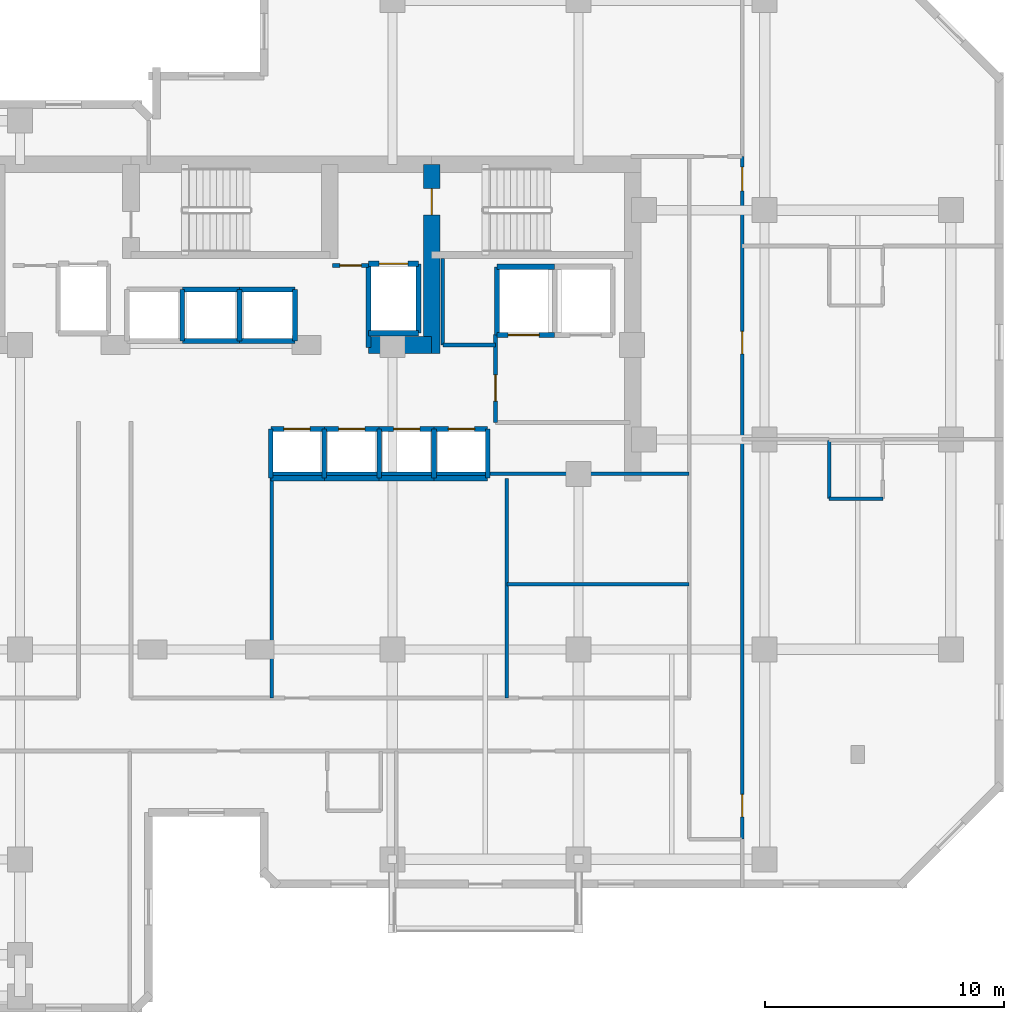
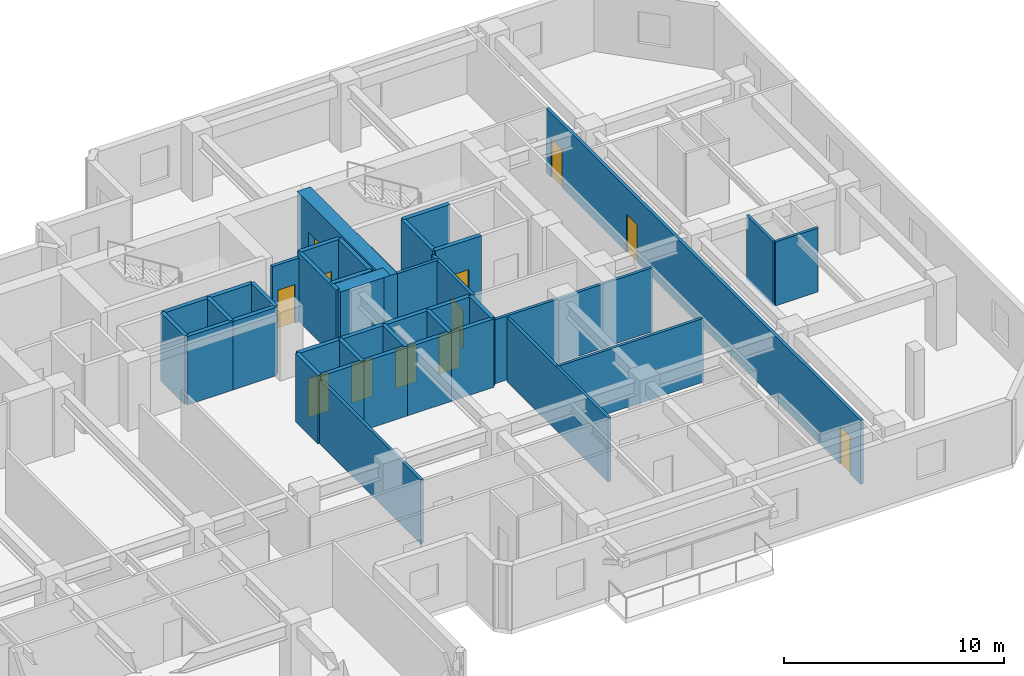
# One storey, part 7 of 11: 40 walls, 12 doors, 12 openings.
"""IFC4 building model written with IfcOpenShell, lengths in metres."""

from ifc_helpers import new_model, si_unit, direction, frame, frame_2d, origin, place, context, subcontext, project, spatial, rectangle, extrude, material, layer, layer_set, type_object, element, fill, save


model = new_model("IFC4")

# Units and contexts
model_context = context("Model", 3, precision=1e-05, world=origin(), true_north=direction((0.0, 1.0)))
body_context = subcontext(model_context, "Body", "Model", "MODEL_VIEW")
ifc_project = project(units=[si_unit("LENGTHUNIT", "METRE"), si_unit("AREAUNIT", "SQUARE_METRE"), si_unit("VOLUMEUNIT", "CUBIC_METRE"), si_unit("PLANEANGLEUNIT", "RADIAN"), si_unit("MASSUNIT", "GRAM", prefix="KILO")], contexts=[model_context])

# Site, building, storey
site_placement = place(None, origin())
site = spatial("IfcSite", under=ifc_project, at=site_placement, CompositionType="ELEMENT")
building_placement = place(site_placement, origin())
building = spatial("IfcBuilding", under=site, at=building_placement, Name="Kestravale Grand Hotel", CompositionType="ELEMENT")
storey_placement = place(building_placement, frame((0.0, 0.0, 157.39990234375)))
storey = spatial("IfcBuildingStorey", under=building, at=storey_placement, Name="L39", CompositionType="ELEMENT", Elevation=157.39990234375)

# Wall
ifc_material_1 = material(Name="Concrete f'c 60 MPa", Category="concrete")
ifc_layer_1 = layer(ifc_material_1, 0.699951171875)
ifc_layer_set_1 = layer_set([ifc_layer_1], Name="EW-CORE-700")
wall_type_1 = type_object("IfcWallType", Name="EW-CORE-700", PredefinedType="SHEAR", material=ifc_layer_set_1)
wall_1_placement = place(storey_placement, frame((45.81005859375, 32.75, 0.0), z_axis=(0.0, 0.0, 1.0), x_axis=(1.0, 0.0, 0.0)))
element("IfcWall", 1, at=wall_1_placement, inside=storey, type_object=wall_type_1, Name="L39 core shear wall S2", PredefinedType="SHEAR", context=body_context, shape_type="SweptSolid", body=[
    extrude(rectangle(XDim=2.639892578125, YDim=0.699951171875, at=frame_2d((1.31982421875, 0.0))), origin(), (0.0, 0.0, 1.0), 3.800048828125),
])

# Wall, opening, door
wall_2_placement = place(storey_placement, frame((48.449951171875, 32.39990234375, 0.0), z_axis=(0.0, 0.0, 1.0), x_axis=(0.0, 1.0, 0.0)))
wall_2 = element("IfcWall", 2, at=wall_2_placement, inside=storey, type_object=wall_type_1, Name="L39 core shear wall X4", PredefinedType="SHEAR", context=body_context, shape_type="SweptSolid", body=[
    extrude(rectangle(XDim=7.920166015625, YDim=0.699951171875, at=frame_2d((3.9599609375, 0.0))), origin(), (0.0, 0.0, 1.0), 3.800048828125),
])
opening_1_placement = place(wall_2_placement, frame((5.800048828125, 0.0, 0.0)))
opening_1 = element("IfcOpeningElement", 3, at=opening_1_placement, cuts=wall_2, Name="Opening D-ST-1100", PredefinedType="OPENING", context=body_context, shape_type="SweptSolid", body=[
    extrude(rectangle(XDim=1.10009765625, YDim=2.14990234375, at=frame_2d((0.550048828125, 1.074951171875))), frame((0.0, 0.35986328125, 0.0), z_axis=(0.0, -1.0, 0.0), x_axis=(1.0, 0.0, 0.0)), (0.0, 0.0, 1.0), 0.719970703125),
])
ifc_material_2 = material(Name="Galvanised 90-minute fire-rated steel stair door", Category="steel")
door_type_1 = type_object("IfcDoorType", Name="D-ST-1100", OperationType="NOTDEFINED", PredefinedType="DOOR", material=ifc_material_2)
door_1_placement = place(opening_1_placement, origin())
door_1 = element("IfcDoor", 4, at=door_1_placement, inside=storey, type_object=door_type_1, Name="L39 Stair ST-3 FSAE fire door", OperationType="SINGLE_SWING_RIGHT", OverallHeight=2.14990234375, OverallWidth=1.10009765625, PredefinedType="DOOR", context=body_context, shape_type="SweptSolid", body=[
    extrude(rectangle(XDim=1.10009765625, YDim=2.14990234375, at=frame_2d((0.550048828125, 1.074951171875))), frame((0.0, 0.02490234375, 0.0), z_axis=(0.0, -1.0, 0.0), x_axis=(1.0, 0.0, 0.0)), (0.0, 0.0, 1.0), 0.050048828125),
])
fill(opening_1, door_1)

ifc_material_3 = material(Name="Acoustic fire-rated gypsum board partition", Category="other")
ifc_layer_2 = layer(ifc_material_3, 0.159912109375)
ifc_layer_set_2 = layer_set([ifc_layer_2], Name="IW-CORR-160")
wall_type_2 = type_object("IfcWallType", Name="IW-CORR-160", PredefinedType="PARTITIONING", material=ifc_layer_set_2)
wall_3_placement = place(storey_placement, frame((51.1201171875, 29.5, 0.0), z_axis=(0.0, 0.0, 1.0), x_axis=(0.0, 1.0, 0.0)))
wall_3 = element("IfcWall", 5, at=wall_3_placement, inside=storey, type_object=wall_type_2, Name="W-L39-SVCLOB-W", PredefinedType="PARTITIONING", context=body_context, shape_type="SweptSolid", body=[
    extrude(rectangle(XDim=3.699951171875, YDim=0.159912109375, at=frame_2d((1.85009765625, 0.0))), origin(), (0.0, 0.0, 1.0), 3.550048828125),
])
opening_2_placement = place(wall_3_placement, frame((0.89990234375, 0.0, 0.0)))
opening_2 = element("IfcOpeningElement", 6, at=opening_2_placement, cuts=wall_3, Name="Opening D-CORR-1100", PredefinedType="OPENING", context=body_context, shape_type="SweptSolid", body=[
    extrude(rectangle(XDim=1.10009765625, YDim=2.14990234375, at=frame_2d((0.550048828125, 1.074951171875))), frame((0.0, 0.08984375, 0.0), z_axis=(0.0, -1.0, 0.0), x_axis=(1.0, 0.0, 0.0)), (0.0, 0.0, 1.0), 0.179931640625),
])
ifc_material_4 = material(Name="Single-leaf service vestibule fire door", Category="steel")
door_type_2 = type_object("IfcDoorType", Name="D-CORR-1100", OperationType="NOTDEFINED", PredefinedType="DOOR", material=ifc_material_4)
door_2_placement = place(opening_2_placement, origin())
door_2 = element("IfcDoor", 7, at=door_2_placement, inside=storey, type_object=door_type_2, Name="L39 service lift lobby door", OperationType="SINGLE_SWING_LEFT", OverallHeight=2.14990234375, OverallWidth=1.10009765625, PredefinedType="DOOR", context=body_context, shape_type="SweptSolid", body=[
    extrude(rectangle(XDim=1.10009765625, YDim=2.14990234375, at=frame_2d((0.550048828125, 1.074951171875))), frame((0.0, 0.02490234375, 0.0), z_axis=(0.0, -1.0, 0.0), x_axis=(1.0, 0.0, 0.0)), (0.0, 0.0, 1.0), 0.050048828125),
])
fill(opening_2, door_2)

# Wall
wall_4_placement = place(storey_placement, frame((48.919921875, 32.75, 0.0), z_axis=(0.0, 0.0, 1.0), x_axis=(1.0, 0.0, 0.0)))
element("IfcWall", 8, at=wall_4_placement, inside=storey, type_object=wall_type_2, Name="W-L39-CES", PredefinedType="PARTITIONING", context=body_context, shape_type="SweptSolid", body=[
    extrude(rectangle(XDim=2.2001953125, YDim=0.159912109375, at=frame_2d((1.10009765625, 0.0))), origin(), (0.0, 0.0, 1.0), 3.550048828125),
])

# Wall, openings, doors
wall_5_placement = place(storey_placement, frame((61.4599609375, 12.050048828125, 0.0), z_axis=(0.0, 0.0, 1.0), x_axis=(0.0, 1.0, 0.0)))
wall_5 = element("IfcWall", 9, at=wall_5_placement, inside=storey, type_object=wall_type_2, Name="W-L39-SE-E", PredefinedType="PARTITIONING", context=body_context, shape_type="SweptSolid", body=[
    extrude(rectangle(XDim=28.599853515625, YDim=0.159912109375, at=frame_2d((14.2998046875, 0.0))), origin(), (0.0, 0.0, 1.0), 3.550048828125),
])
opening_3_placement = place(wall_5_placement, frame((0.925048828125, 0.0, 0.0)))
opening_3 = element("IfcOpeningElement", 10, at=opening_3_placement, cuts=wall_5, Name="Opening D-GUEST-950", PredefinedType="OPENING", context=body_context, shape_type="SweptSolid", body=[
    extrude(rectangle(XDim=0.949951171875, YDim=2.10009765625, at=frame_2d((0.47509765625, 1.050048828125))), frame((0.0, 0.08984375, 0.0), z_axis=(0.0, -1.0, 0.0), x_axis=(1.0, 0.0, 0.0)), (0.0, 0.0, 1.0), 0.179931640625),
])
opening_4_placement = place(wall_5_placement, frame((20.324951171875, 0.0, 0.0)))
opening_4 = element("IfcOpeningElement", 11, at=opening_4_placement, cuts=wall_5, Name="Opening D-GUEST-950", PredefinedType="OPENING", context=body_context, shape_type="SweptSolid", body=[
    extrude(rectangle(XDim=0.949951171875, YDim=2.10009765625, at=frame_2d((0.47509765625, 1.050048828125))), frame((0.0, 0.08984375, 0.0), z_axis=(0.0, -1.0, 0.0), x_axis=(1.0, 0.0, 0.0)), (0.0, 0.0, 1.0), 0.179931640625),
])
opening_5_placement = place(wall_5_placement, frame((27.159912109375, 0.0, 0.0)))
opening_5 = element("IfcOpeningElement", 12, at=opening_5_placement, cuts=wall_5, Name="Opening D-GUEST-1000", PredefinedType="OPENING", context=body_context, shape_type="SweptSolid", body=[
    extrude(rectangle(XDim=1.0, YDim=2.14990234375, at=frame_2d((0.5, 1.074951171875))), frame((0.0, 0.08984375, 0.0), z_axis=(0.0, -1.0, 0.0), x_axis=(1.0, 0.0, 0.0)), (0.0, 0.0, 1.0), 0.179931640625),
])
ifc_material_5 = material(Name="Accessible walnut veneer hotel entrance fire door", Category="wood")
door_type_3 = type_object("IfcDoorType", Name="D-GUEST-1000", OperationType="NOTDEFINED", PredefinedType="DOOR", material=ifc_material_5)
door_3_placement = place(opening_5_placement, origin())
door_3 = element("IfcDoor", 13, at=door_3_placement, inside=storey, type_object=door_type_3, Name="D-L39-AMEW", OperationType="SINGLE_SWING_LEFT", OverallHeight=2.14990234375, OverallWidth=1.0, PredefinedType="DOOR", context=body_context, shape_type="SweptSolid", body=[
    extrude(rectangle(XDim=1.0, YDim=2.14990234375, at=frame_2d((0.5, 1.074951171875))), frame((0.0, 0.02490234375, 0.0), z_axis=(0.0, -1.0, 0.0), x_axis=(1.0, 0.0, 0.0)), (0.0, 0.0, 1.0), 0.050048828125),
])
fill(opening_5, door_3)
ifc_material_6 = material(Name="Walnut veneer hotel guestroom entrance fire door", Category="wood")
door_type_4 = type_object("IfcDoorType", Name="D-GUEST-950", OperationType="NOTDEFINED", PredefinedType="DOOR", material=ifc_material_6)
door_4_placement = place(opening_3_placement, origin())
door_4 = element("IfcDoor", 14, at=door_4_placement, inside=storey, type_object=door_type_4, Name="D-L39-U06-ENT", OperationType="SINGLE_SWING_RIGHT", OverallHeight=2.10009765625, OverallWidth=0.949951171875, PredefinedType="DOOR", context=body_context, shape_type="SweptSolid", body=[
    extrude(rectangle(XDim=0.949951171875, YDim=2.10009765625, at=frame_2d((0.47509765625, 1.050048828125))), frame((0.0, 0.02490234375, 0.0), z_axis=(0.0, -1.0, 0.0), x_axis=(1.0, 0.0, 0.0)), (0.0, 0.0, 1.0), 0.050048828125),
])
fill(opening_3, door_4)
door_5_placement = place(opening_4_placement, origin())
door_5 = element("IfcDoor", 15, at=door_5_placement, inside=storey, type_object=door_type_4, Name="D-L39-U07-ENT", OperationType="SINGLE_SWING_RIGHT", OverallHeight=2.10009765625, OverallWidth=0.949951171875, PredefinedType="DOOR", context=body_context, shape_type="SweptSolid", body=[
    extrude(rectangle(XDim=0.949951171875, YDim=2.10009765625, at=frame_2d((0.47509765625, 1.050048828125))), frame((0.0, 0.02490234375, 0.0), z_axis=(0.0, -1.0, 0.0), x_axis=(1.0, 0.0, 0.0)), (0.0, 0.0, 1.0), 0.050048828125),
])
fill(opening_4, door_5)

# Wall, opening, door
ifc_material_7 = material(Name="Fire-rated gypsum board on steel studs with mineral wool", Category="steel")
ifc_layer_3 = layer(ifc_material_7, 0.179931640625)
ifc_layer_set_3 = layer_set([ifc_layer_3], Name="IW-FSAE-180")
wall_type_3 = type_object("IfcWallType", Name="IW-FSAE-180", PredefinedType="PARTITIONING", material=ifc_layer_set_3)
wall_6_placement = place(storey_placement, frame((44.300048828125, 36.080078125, 0.0), z_axis=(0.0, 0.0, 1.0), x_axis=(1.0, 0.0, 0.0)))
wall_6 = element("IfcWall", 16, at=wall_6_placement, inside=storey, type_object=wall_type_3, Name="L39 FSAE Lobby 2 smoke barrier", PredefinedType="PARTITIONING", context=body_context, shape_type="SweptSolid", body=[
    extrude(rectangle(XDim=1.5, YDim=0.179931640625, at=frame_2d((0.75, 0.0))), origin(), (0.0, 0.0, 1.0), 3.550048828125),
])
opening_6_placement = place(wall_6_placement, frame((0.300048828125, 0.0, 0.0)))
opening_6 = element("IfcOpeningElement", 17, at=opening_6_placement, cuts=wall_6, Name="Opening D-FSAE-1000", PredefinedType="OPENING", context=body_context, shape_type="SweptSolid", body=[
    extrude(rectangle(XDim=0.89990234375, YDim=2.14990234375, at=frame_2d((0.449951171875, 1.074951171875))), frame((0.0, 0.099853515625, 0.0), z_axis=(0.0, -1.0, 0.0), x_axis=(1.0, 0.0, 0.0)), (0.0, 0.0, 1.0), 0.199951171875),
])
ifc_material_8 = material(Name="Smoke-gasketed FSAE lobby fire door", Category="steel")
door_type_5 = type_object("IfcDoorType", Name="D-FSAE-1000", OperationType="NOTDEFINED", PredefinedType="DOOR", material=ifc_material_8)
door_6_placement = place(opening_6_placement, origin())
door_6 = element("IfcDoor", 18, at=door_6_placement, inside=storey, type_object=door_type_5, Name="L39 FSAE Lobby 2 fire door", OperationType="SINGLE_SWING_LEFT", OverallHeight=2.14990234375, OverallWidth=0.89990234375, PredefinedType="DOOR", context=body_context, shape_type="SweptSolid", body=[
    extrude(rectangle(XDim=0.89990234375, YDim=2.14990234375, at=frame_2d((0.449951171875, 1.074951171875))), frame((0.0, 0.02490234375, 0.0), z_axis=(0.0, -1.0, 0.0), x_axis=(1.0, 0.0, 0.0)), (0.0, 0.0, 1.0), 0.050048828125),
])
fill(opening_6, door_6)

# Walls
ifc_material_9 = material(Name="Moisture-resistant tile-backer plumbing chase wall", Category="other")
ifc_layer_4 = layer(ifc_material_9, 0.139892578125)
ifc_layer_set_4 = layer_set([ifc_layer_4], Name="IW-PLB-140")
wall_type_4 = type_object("IfcWallType", Name="IW-PLB-140", PredefinedType="PLUMBINGWALL", material=ifc_layer_set_4)
wall_7_placement = place(storey_placement, frame((65.10009765625, 26.31005859375, 0.0), z_axis=(0.0, 0.0, 1.0), x_axis=(0.0, 1.0, 0.0)))
element("IfcWall", 19, at=wall_7_placement, inside=storey, type_object=wall_type_4, Name="W-L39-U06-BW", PredefinedType="PLUMBINGWALL", context=body_context, shape_type="SweptSolid", body=[
    extrude(rectangle(XDim=2.449951171875, YDim=0.139892578125, at=frame_2d((1.22509765625, 0.0))), origin(), (0.0, 0.0, 1.0), 3.550048828125),
])
wall_8_placement = place(storey_placement, frame((65.10009765625, 26.31005859375, 0.0), z_axis=(0.0, 0.0, 1.0), x_axis=(1.0, 0.0, 0.0)))
element("IfcWall", 20, at=wall_8_placement, inside=storey, type_object=wall_type_4, Name="W-L39-U06-BS", PredefinedType="PLUMBINGWALL", context=body_context, shape_type="SweptSolid", body=[
    extrude(rectangle(XDim=2.25, YDim=0.139892578125, at=frame_2d((1.125, 0.0))), origin(), (0.0, 0.0, 1.0), 3.550048828125),
])
ifc_material_10 = material(Name="Concrete f'c 45 MPa", Category="concrete")
ifc_layer_5 = layer(ifc_material_10, 0.199951171875)
ifc_layer_set_5 = layer_set([ifc_layer_5], Name="IW-SHAFT-200")
wall_type_5 = type_object("IfcWallType", Name="IW-SHAFT-200", PredefinedType="SHEAR", material=ifc_layer_set_5)
for number, where, z_axis, x_axis, name in (
    (21, (41.705078125, 27.169921875, 0.0), (0.0, 0.0, 1.0), (0.0, 1.0, 0.0), "L39 PL-M1 west shaft wall"),
    (22, (43.949951171875, 27.169921875, 0.0), (0.0, 0.0, 1.0), (0.0, 1.0, 0.0), "L39 PL-M2 west shaft wall"),
    (23, (46.25, 27.169921875, 0.0), (0.0, 0.0, 1.0), (0.0, 1.0, 0.0), "L39 PL-M3 west shaft wall"),
    (24, (48.550048828125, 27.169921875, 0.0), (0.0, 0.0, 1.0), (0.0, 1.0, 0.0), "L39 PL-M4 west shaft wall"),
    (25, (50.794921875, 27.169921875, 0.0), (0.0, 0.0, 1.0), (0.0, 1.0, 0.0), "L39 PL-M4 east shaft wall"),
):
    element("IfcWall", number, at=place(storey_placement, frame(where, z_axis=z_axis, x_axis=x_axis)), inside=storey, type_object=wall_type_5, Name=name, PredefinedType="SHEAR", context=body_context, shape_type="SweptSolid", body=[
        extrude(rectangle(XDim=2.06005859375, YDim=0.199951171875, at=frame_2d((1.030029296875, 0.0))), origin(), (0.0, 0.0, 1.0), 3.800048828125),
    ])
for number, where, z_axis, x_axis, name in (
    (26, (38.0, 32.919921875, 0.0), (0.0, 0.0, 1.0), (0.0, 1.0, 0.0), "L39 PL-X2 west shaft wall"),
    (27, (40.39990234375, 32.919921875, 0.0), (0.0, 0.0, 1.0), (0.0, 1.0, 0.0), "L39 PL-X3 west shaft wall"),
    (28, (42.719970703125, 32.919921875, 0.0), (0.0, 0.0, 1.0), (0.0, 1.0, 0.0), "L39 PL-X3 east shaft wall"),
):
    element("IfcWall", number, at=place(storey_placement, frame(where, z_axis=z_axis, x_axis=x_axis)), inside=storey, type_object=wall_type_5, Name=name, PredefinedType="SHEAR", context=body_context, shape_type="SweptSolid", body=[
        extrude(rectangle(XDim=2.16015625, YDim=0.199951171875, at=frame_2d((1.080078125, 0.0))), origin(), (0.0, 0.0, 1.0), 3.800048828125),
    ])
wall_9_placement = place(storey_placement, frame((51.179931640625, 33.169921875, 0.0), z_axis=(0.0, 0.0, 1.0), x_axis=(0.0, 1.0, 0.0)))
element("IfcWall", 29, at=wall_9_placement, inside=storey, type_object=wall_type_5, Name="L39 SL-1 west shaft wall", PredefinedType="SHEAR", context=body_context, shape_type="SweptSolid", body=[
    extrude(rectangle(XDim=2.860107421875, YDim=0.199951171875, at=frame_2d((1.43017578125, 0.0))), origin(), (0.0, 0.0, 1.0), 3.800048828125),
])
wall_10_placement = place(storey_placement, frame((45.804931640625, 32.64990234375, 0.0), z_axis=(0.0, 0.0, 1.0), x_axis=(0.0, 1.0, 0.0)))
element("IfcWall", 30, at=wall_10_placement, inside=storey, type_object=wall_type_5, Name="L39 FL-2 west shaft wall", PredefinedType="SHEAR", context=body_context, shape_type="SweptSolid", body=[
    extrude(rectangle(XDim=3.505126953125, YDim=0.199951171875, at=frame_2d((1.75244140625, 0.0))), origin(), (0.0, 0.0, 1.0), 3.800048828125),
])
wall_11_placement = place(storey_placement, frame((47.89501953125, 33.2451171875, 0.0), z_axis=(0.0, 0.0, 1.0), x_axis=(0.0, 1.0, 0.0)))
element("IfcWall", 31, at=wall_11_placement, inside=storey, type_object=wall_type_5, Name="L39 FL-2 east shaft wall", PredefinedType="SHEAR", context=body_context, shape_type="SweptSolid", body=[
    extrude(rectangle(XDim=2.909912109375, YDim=0.199951171875, at=frame_2d((1.455078125, 0.0))), origin(), (0.0, 0.0, 1.0), 3.800048828125),
])

# Wall, opening, door
ifc_material_11 = material(Name="Concrete f'c 45 MPa", Category="concrete")
ifc_layer_6 = layer(ifc_material_11, 0.219970703125)
ifc_layer_set_6 = layer_set([ifc_layer_6], Name="IW-SHAFT-220")
wall_type_6 = type_object("IfcWallType", Name="IW-SHAFT-220", PredefinedType="SHEAR", material=ifc_layer_set_6)
wall_12_placement = place(storey_placement, frame((41.705078125, 29.22998046875, 0.0), z_axis=(0.0, 0.0, 1.0), x_axis=(1.0, 0.0, 0.0)))
wall_12 = element("IfcWall", 32, at=wall_12_placement, inside=storey, type_object=wall_type_6, Name="L39 PL-M1 north shaft wall", PredefinedType="SHEAR", context=body_context, shape_type="SweptSolid", body=[
    extrude(rectangle(XDim=2.244873046875, YDim=0.219970703125, at=frame_2d((1.12255859375, 0.0))), origin(), (0.0, 0.0, 1.0), 3.800048828125),
])
opening_7_placement = place(wall_12_placement, frame((0.544921875, 0.0, 0.0)))
opening_7 = element("IfcOpeningElement", 33, at=opening_7_placement, cuts=wall_12, Name="Opening LD-PAX-1100", PredefinedType="OPENING", context=body_context, shape_type="SweptSolid", body=[
    extrude(rectangle(XDim=1.10009765625, YDim=2.14990234375, at=frame_2d((0.550048828125, 1.074951171875))), frame((0.0, 0.119873046875, 0.0), z_axis=(0.0, -1.0, 0.0), x_axis=(1.0, 0.0, 0.0)), (0.0, 0.0, 1.0), 0.239990234375),
])
ifc_material_12 = material(Name="Champagne-bronze center-opening sliding elevator landing door", Category="steel")
door_type_6 = type_object("IfcDoorType", Name="LD-PAX-1100", OperationType="NOTDEFINED", PredefinedType="DOOR", material=ifc_material_12)
door_7_placement = place(opening_7_placement, origin())
door_7 = element("IfcDoor", 34, at=door_7_placement, inside=storey, type_object=door_type_6, Name="L39 PL-M1 elevator landing sliding door", OperationType="DOUBLE_DOOR_SLIDING", OverallHeight=2.14990234375, OverallWidth=1.10009765625, PredefinedType="DOOR", context=body_context, shape_type="SweptSolid", body=[
    extrude(rectangle(XDim=1.10009765625, YDim=2.14990234375, at=frame_2d((0.550048828125, 1.074951171875))), frame((0.0, 0.02490234375, 0.0), z_axis=(0.0, -1.0, 0.0), x_axis=(1.0, 0.0, 0.0)), (0.0, 0.0, 1.0), 0.050048828125),
])
fill(opening_7, door_7)

# Wall
wall_13_placement = place(storey_placement, frame((41.705078125, 27.169921875, 0.0), z_axis=(0.0, 0.0, 1.0), x_axis=(1.0, 0.0, 0.0)))
element("IfcWall", 35, at=wall_13_placement, inside=storey, type_object=wall_type_6, Name="L39 PL-M1 south shaft wall", PredefinedType="SHEAR", context=body_context, shape_type="SweptSolid", body=[
    extrude(rectangle(XDim=2.244873046875, YDim=0.219970703125, at=frame_2d((1.12255859375, 0.0))), origin(), (0.0, 0.0, 1.0), 3.800048828125),
])

# Wall, opening, door
wall_14_placement = place(storey_placement, frame((43.949951171875, 29.22998046875, 0.0), z_axis=(0.0, 0.0, 1.0), x_axis=(1.0, 0.0, 0.0)))
wall_14 = element("IfcWall", 36, at=wall_14_placement, inside=storey, type_object=wall_type_6, Name="L39 PL-M2 north shaft wall", PredefinedType="SHEAR", context=body_context, shape_type="SweptSolid", body=[
    extrude(rectangle(XDim=2.300048828125, YDim=0.219970703125, at=frame_2d((1.14990234375, 0.0))), origin(), (0.0, 0.0, 1.0), 3.800048828125),
])
opening_8_placement = place(wall_14_placement, frame((0.60009765625, 0.0, 0.0)))
opening_8 = element("IfcOpeningElement", 37, at=opening_8_placement, cuts=wall_14, Name="Opening LD-PAX-1100", PredefinedType="OPENING", context=body_context, shape_type="SweptSolid", body=[
    extrude(rectangle(XDim=1.10009765625, YDim=2.14990234375, at=frame_2d((0.550048828125, 1.074951171875))), frame((0.0, 0.119873046875, 0.0), z_axis=(0.0, -1.0, 0.0), x_axis=(1.0, 0.0, 0.0)), (0.0, 0.0, 1.0), 0.239990234375),
])
door_8_placement = place(opening_8_placement, origin())
door_8 = element("IfcDoor", 38, at=door_8_placement, inside=storey, type_object=door_type_6, Name="L39 PL-M2 elevator landing sliding door", OperationType="DOUBLE_DOOR_SLIDING", OverallHeight=2.14990234375, OverallWidth=1.10009765625, PredefinedType="DOOR", context=body_context, shape_type="SweptSolid", body=[
    extrude(rectangle(XDim=1.10009765625, YDim=2.14990234375, at=frame_2d((0.550048828125, 1.074951171875))), frame((0.0, 0.02490234375, 0.0), z_axis=(0.0, -1.0, 0.0), x_axis=(1.0, 0.0, 0.0)), (0.0, 0.0, 1.0), 0.050048828125),
])
fill(opening_8, door_8)

# Wall
wall_15_placement = place(storey_placement, frame((43.949951171875, 27.169921875, 0.0), z_axis=(0.0, 0.0, 1.0), x_axis=(1.0, 0.0, 0.0)))
element("IfcWall", 39, at=wall_15_placement, inside=storey, type_object=wall_type_6, Name="L39 PL-M2 south shaft wall", PredefinedType="SHEAR", context=body_context, shape_type="SweptSolid", body=[
    extrude(rectangle(XDim=2.300048828125, YDim=0.219970703125, at=frame_2d((1.14990234375, 0.0))), origin(), (0.0, 0.0, 1.0), 3.800048828125),
])

# Wall, opening, door
wall_16_placement = place(storey_placement, frame((46.25, 29.22998046875, 0.0), z_axis=(0.0, 0.0, 1.0), x_axis=(1.0, 0.0, 0.0)))
wall_16 = element("IfcWall", 40, at=wall_16_placement, inside=storey, type_object=wall_type_6, Name="L39 PL-M3 north shaft wall", PredefinedType="SHEAR", context=body_context, shape_type="SweptSolid", body=[
    extrude(rectangle(XDim=2.300048828125, YDim=0.219970703125, at=frame_2d((1.14990234375, 0.0))), origin(), (0.0, 0.0, 1.0), 3.800048828125),
])
opening_9_placement = place(wall_16_placement, frame((0.60009765625, 0.0, 0.0)))
opening_9 = element("IfcOpeningElement", 41, at=opening_9_placement, cuts=wall_16, Name="Opening LD-PAX-1100", PredefinedType="OPENING", context=body_context, shape_type="SweptSolid", body=[
    extrude(rectangle(XDim=1.10009765625, YDim=2.14990234375, at=frame_2d((0.550048828125, 1.074951171875))), frame((0.0, 0.119873046875, 0.0), z_axis=(0.0, -1.0, 0.0), x_axis=(1.0, 0.0, 0.0)), (0.0, 0.0, 1.0), 0.239990234375),
])
door_9_placement = place(opening_9_placement, origin())
door_9 = element("IfcDoor", 42, at=door_9_placement, inside=storey, type_object=door_type_6, Name="L39 PL-M3 elevator landing sliding door", OperationType="DOUBLE_DOOR_SLIDING", OverallHeight=2.14990234375, OverallWidth=1.10009765625, PredefinedType="DOOR", context=body_context, shape_type="SweptSolid", body=[
    extrude(rectangle(XDim=1.10009765625, YDim=2.14990234375, at=frame_2d((0.550048828125, 1.074951171875))), frame((0.0, 0.02490234375, 0.0), z_axis=(0.0, -1.0, 0.0), x_axis=(1.0, 0.0, 0.0)), (0.0, 0.0, 1.0), 0.050048828125),
])
fill(opening_9, door_9)

# Wall
wall_17_placement = place(storey_placement, frame((46.25, 27.169921875, 0.0), z_axis=(0.0, 0.0, 1.0), x_axis=(1.0, 0.0, 0.0)))
element("IfcWall", 43, at=wall_17_placement, inside=storey, type_object=wall_type_6, Name="L39 PL-M3 south shaft wall", PredefinedType="SHEAR", context=body_context, shape_type="SweptSolid", body=[
    extrude(rectangle(XDim=2.300048828125, YDim=0.219970703125, at=frame_2d((1.14990234375, 0.0))), origin(), (0.0, 0.0, 1.0), 3.800048828125),
])

# Wall, opening, door
wall_18_placement = place(storey_placement, frame((48.550048828125, 29.22998046875, 0.0), z_axis=(0.0, 0.0, 1.0), x_axis=(1.0, 0.0, 0.0)))
wall_18 = element("IfcWall", 44, at=wall_18_placement, inside=storey, type_object=wall_type_6, Name="L39 PL-M4 north shaft wall", PredefinedType="SHEAR", context=body_context, shape_type="SweptSolid", body=[
    extrude(rectangle(XDim=2.244873046875, YDim=0.219970703125, at=frame_2d((1.12255859375, 0.0))), origin(), (0.0, 0.0, 1.0), 3.800048828125),
])
opening_10_placement = place(wall_18_placement, frame((0.60009765625, 0.0, 0.0)))
opening_10 = element("IfcOpeningElement", 45, at=opening_10_placement, cuts=wall_18, Name="Opening LD-PAX-1100", PredefinedType="OPENING", context=body_context, shape_type="SweptSolid", body=[
    extrude(rectangle(XDim=1.10009765625, YDim=2.14990234375, at=frame_2d((0.550048828125, 1.074951171875))), frame((0.0, 0.119873046875, 0.0), z_axis=(0.0, -1.0, 0.0), x_axis=(1.0, 0.0, 0.0)), (0.0, 0.0, 1.0), 0.239990234375),
])
door_10_placement = place(opening_10_placement, origin())
door_10 = element("IfcDoor", 46, at=door_10_placement, inside=storey, type_object=door_type_6, Name="L39 PL-M4 elevator landing sliding door", OperationType="DOUBLE_DOOR_SLIDING", OverallHeight=2.14990234375, OverallWidth=1.10009765625, PredefinedType="DOOR", context=body_context, shape_type="SweptSolid", body=[
    extrude(rectangle(XDim=1.10009765625, YDim=2.14990234375, at=frame_2d((0.550048828125, 1.074951171875))), frame((0.0, 0.02490234375, 0.0), z_axis=(0.0, -1.0, 0.0), x_axis=(1.0, 0.0, 0.0)), (0.0, 0.0, 1.0), 0.050048828125),
])
fill(opening_10, door_10)

# Walls
wall_19_placement = place(storey_placement, frame((48.550048828125, 27.169921875, 0.0), z_axis=(0.0, 0.0, 1.0), x_axis=(1.0, 0.0, 0.0)))
element("IfcWall", 47, at=wall_19_placement, inside=storey, type_object=wall_type_6, Name="L39 PL-M4 south shaft wall", PredefinedType="SHEAR", context=body_context, shape_type="SweptSolid", body=[
    extrude(rectangle(XDim=2.244873046875, YDim=0.219970703125, at=frame_2d((1.12255859375, 0.0))), origin(), (0.0, 0.0, 1.0), 3.800048828125),
])
for number, where, z_axis, x_axis, name in (
    (48, (38.0, 35.080078125, 0.0), (0.0, 0.0, 1.0), (1.0, 0.0, 0.0), "L39 PL-X2 north shaft wall"),
    (49, (38.0, 32.919921875, 0.0), (0.0, 0.0, 1.0), (1.0, 0.0, 0.0), "L39 PL-X2 south shaft wall"),
):
    element("IfcWall", number, at=place(storey_placement, frame(where, z_axis=z_axis, x_axis=x_axis)), inside=storey, type_object=wall_type_6, Name=name, PredefinedType="SHEAR", context=body_context, shape_type="SweptSolid", body=[
        extrude(rectangle(XDim=2.39990234375, YDim=0.219970703125, at=frame_2d((1.199951171875, 0.0))), origin(), (0.0, 0.0, 1.0), 3.800048828125),
    ])
for number, where, z_axis, x_axis, name in (
    (50, (40.39990234375, 35.080078125, 0.0), (0.0, 0.0, 1.0), (1.0, 0.0, 0.0), "L39 PL-X3 north shaft wall"),
    (51, (40.39990234375, 32.919921875, 0.0), (0.0, 0.0, 1.0), (1.0, 0.0, 0.0), "L39 PL-X3 south shaft wall"),
):
    element("IfcWall", number, at=place(storey_placement, frame(where, z_axis=z_axis, x_axis=x_axis)), inside=storey, type_object=wall_type_6, Name=name, PredefinedType="SHEAR", context=body_context, shape_type="SweptSolid", body=[
        extrude(rectangle(XDim=2.320068359375, YDim=0.219970703125, at=frame_2d((1.16015625, 0.0))), origin(), (0.0, 0.0, 1.0), 3.800048828125),
    ])
wall_20_placement = place(storey_placement, frame((51.179931640625, 36.030029296875, 0.0), z_axis=(0.0, 0.0, 1.0), x_axis=(1.0, 0.0, 0.0)))
element("IfcWall", 52, at=wall_20_placement, inside=storey, type_object=wall_type_6, Name="L39 SL-1 north shaft wall", PredefinedType="SHEAR", context=body_context, shape_type="SweptSolid", body=[
    extrude(rectangle(XDim=2.420166015625, YDim=0.219970703125, at=frame_2d((1.2099609375, 0.0))), origin(), (0.0, 0.0, 1.0), 3.800048828125),
])

# Wall, opening, door
wall_21_placement = place(storey_placement, frame((51.179931640625, 33.169921875, 0.0), z_axis=(0.0, 0.0, 1.0), x_axis=(1.0, 0.0, 0.0)))
wall_21 = element("IfcWall", 53, at=wall_21_placement, inside=storey, type_object=wall_type_6, Name="L39 SL-1 south shaft wall", PredefinedType="SHEAR", context=body_context, shape_type="SweptSolid", body=[
    extrude(rectangle(XDim=2.420166015625, YDim=0.219970703125, at=frame_2d((1.2099609375, 0.0))), origin(), (0.0, 0.0, 1.0), 3.800048828125),
])
opening_11_placement = place(wall_21_placement, frame((0.469970703125, 0.0, 0.0)))
opening_11 = element("IfcOpeningElement", 54, at=opening_11_placement, cuts=wall_21, Name="Opening LD-SVC-1300", PredefinedType="OPENING", context=body_context, shape_type="SweptSolid", body=[
    extrude(rectangle(XDim=1.300048828125, YDim=2.14990234375, at=frame_2d((0.64990234375, 1.074951171875))), frame((0.0, 0.119873046875, 0.0), z_axis=(0.0, -1.0, 0.0), x_axis=(1.0, 0.0, 0.0)), (0.0, 0.0, 1.0), 0.239990234375),
])
ifc_material_13 = material(Name="Heavy-duty service sliding elevator landing door", Category="steel")
door_type_7 = type_object("IfcDoorType", Name="LD-SVC-1300", OperationType="NOTDEFINED", PredefinedType="DOOR", material=ifc_material_13)
door_11_placement = place(opening_11_placement, origin())
door_11 = element("IfcDoor", 55, at=door_11_placement, inside=storey, type_object=door_type_7, Name="L39 SL-1 elevator landing sliding door", OperationType="DOUBLE_DOOR_SLIDING", OverallHeight=2.14990234375, OverallWidth=1.300048828125, PredefinedType="DOOR", context=body_context, shape_type="SweptSolid", body=[
    extrude(rectangle(XDim=1.300048828125, YDim=2.14990234375, at=frame_2d((0.64990234375, 1.074951171875))), frame((0.0, 0.02490234375, 0.0), z_axis=(0.0, -1.0, 0.0), x_axis=(1.0, 0.0, 0.0)), (0.0, 0.0, 1.0), 0.050048828125),
])
fill(opening_11, door_11)

wall_22_placement = place(storey_placement, frame((45.804931640625, 36.155029296875, 0.0), z_axis=(0.0, 0.0, 1.0), x_axis=(1.0, 0.0, 0.0)))
wall_22 = element("IfcWall", 56, at=wall_22_placement, inside=storey, type_object=wall_type_6, Name="L39 FL-2 north shaft wall", PredefinedType="SHEAR", context=body_context, shape_type="SweptSolid", body=[
    extrude(rectangle(XDim=2.090087890625, YDim=0.219970703125, at=frame_2d((1.044921875, 0.0))), origin(), (0.0, 0.0, 1.0), 3.800048828125),
])
opening_12_placement = place(wall_22_placement, frame((0.445068359375, 0.0, 0.0)))
opening_12 = element("IfcOpeningElement", 57, at=opening_12_placement, cuts=wall_22, Name="Opening LD-FSAE-1200", PredefinedType="OPENING", context=body_context, shape_type="SweptSolid", body=[
    extrude(rectangle(XDim=1.199951171875, YDim=2.14990234375, at=frame_2d((0.60009765625, 1.074951171875))), frame((0.0, 0.119873046875, 0.0), z_axis=(0.0, -1.0, 0.0), x_axis=(1.0, 0.0, 0.0)), (0.0, 0.0, 1.0), 0.239990234375),
])
ifc_material_14 = material(Name="Stainless fire-service sliding elevator landing door", Category="steel")
door_type_8 = type_object("IfcDoorType", Name="LD-FSAE-1200", OperationType="NOTDEFINED", PredefinedType="DOOR", material=ifc_material_14)
door_12_placement = place(opening_12_placement, origin())
door_12 = element("IfcDoor", 58, at=door_12_placement, inside=storey, type_object=door_type_8, Name="L39 FL-2 elevator landing sliding door", OperationType="DOUBLE_DOOR_SLIDING", OverallHeight=2.14990234375, OverallWidth=1.199951171875, PredefinedType="DOOR", context=body_context, shape_type="SweptSolid", body=[
    extrude(rectangle(XDim=1.199951171875, YDim=2.14990234375, at=frame_2d((0.60009765625, 1.074951171875))), frame((0.0, 0.02490234375, 0.0), z_axis=(0.0, -1.0, 0.0), x_axis=(1.0, 0.0, 0.0)), (0.0, 0.0, 1.0), 0.050048828125),
])
fill(opening_12, door_12)

# Walls
wall_23_placement = place(storey_placement, frame((45.804931640625, 33.2451171875, 0.0), z_axis=(0.0, 0.0, 1.0), x_axis=(1.0, 0.0, 0.0)))
element("IfcWall", 59, at=wall_23_placement, inside=storey, type_object=wall_type_6, Name="L39 FL-2 south shaft wall", PredefinedType="SHEAR", context=body_context, shape_type="SweptSolid", body=[
    extrude(rectangle(XDim=2.090087890625, YDim=0.219970703125, at=frame_2d((1.044921875, 0.0))), origin(), (0.0, 0.0, 1.0), 3.800048828125),
])
ifc_material_15 = material(Name="Double-stud STC 52 acoustic demising partition", Category="other")
ifc_layer_7 = layer(ifc_material_15, 0.14990234375)
ifc_layer_set_7 = layer_set([ifc_layer_7], Name="IW-UNIT-150")
wall_type_7 = type_object("IfcWallType", Name="IW-UNIT-150", PredefinedType="PARTITIONING", material=ifc_layer_set_7)
wall_24_placement = place(storey_placement, frame((48.919921875, 32.75, 0.0), z_axis=(0.0, 0.0, 1.0), x_axis=(0.0, 1.0, 0.0)))
element("IfcWall", 60, at=wall_24_placement, inside=storey, type_object=wall_type_7, Name="W-L39-CEW", PredefinedType="PARTITIONING", context=body_context, shape_type="SweptSolid", body=[
    extrude(rectangle(XDim=3.6201171875, YDim=0.14990234375, at=frame_2d((1.81005859375, 0.0))), origin(), (0.0, 0.0, 1.0), 3.550048828125),
])
wall_25_placement = place(storey_placement, frame((41.75, 17.9599609375, 0.0), z_axis=(0.0, 0.0, 1.0), x_axis=(0.0, 1.0, 0.0)))
element("IfcWall", 61, at=wall_25_placement, inside=storey, type_object=wall_type_7, Name="W-L39-RCLE-W", PredefinedType="PARTITIONING", context=body_context, shape_type="SweptSolid", body=[
    extrude(rectangle(XDim=9.2099609375, YDim=0.14990234375, at=frame_2d((4.60498046875, 0.0))), origin(), (0.0, 0.0, 1.0), 3.550048828125),
])
wall_26_placement = place(storey_placement, frame((51.60009765625, 17.9599609375, 0.0), z_axis=(0.0, 0.0, 1.0), x_axis=(0.0, 1.0, 0.0)))
element("IfcWall", 62, at=wall_26_placement, inside=storey, type_object=wall_type_7, Name="W-L39-RCLE-M", PredefinedType="PARTITIONING", context=body_context, shape_type="SweptSolid", body=[
    extrude(rectangle(XDim=9.18994140625, YDim=0.14990234375, at=frame_2d((4.594970703125, 0.0))), origin(), (0.0, 0.0, 1.0), 3.550048828125),
])
wall_27_placement = place(storey_placement, frame((41.75, 27.35009765625, 0.0), z_axis=(0.0, 0.0, 1.0), x_axis=(1.0, 0.0, 0.0)))
element("IfcWall", 63, at=wall_27_placement, inside=storey, type_object=wall_type_7, Name="W-L39-RCLE-N", PredefinedType="PARTITIONING", context=body_context, shape_type="SweptSolid", body=[
    extrude(rectangle(XDim=17.489990234375, YDim=0.14990234375, at=frame_2d((8.7451171875, 0.0))), origin(), (0.0, 0.0, 1.0), 3.550048828125),
])
wall_28_placement = place(storey_placement, frame((51.60009765625, 22.719970703125, 0.0), z_axis=(0.0, 0.0, 1.0), x_axis=(1.0, 0.0, 0.0)))
element("IfcWall", 64, at=wall_28_placement, inside=storey, type_object=wall_type_7, Name="W-L39-RCLE-H", PredefinedType="PARTITIONING", context=body_context, shape_type="SweptSolid", body=[
    extrude(rectangle(XDim=7.639892578125, YDim=0.14990234375, at=frame_2d((3.81982421875, 0.0))), origin(), (0.0, 0.0, 1.0), 3.550048828125),
])

save(model, "model.ifc")
